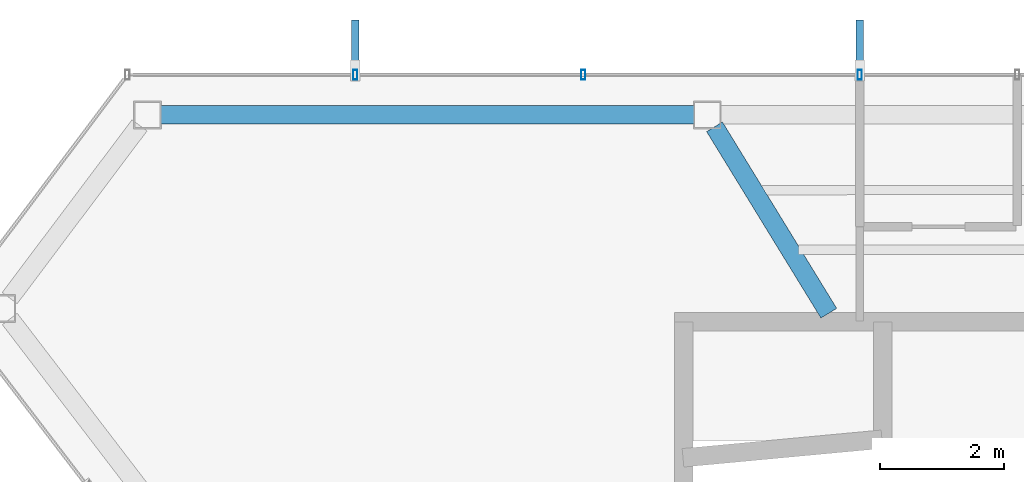
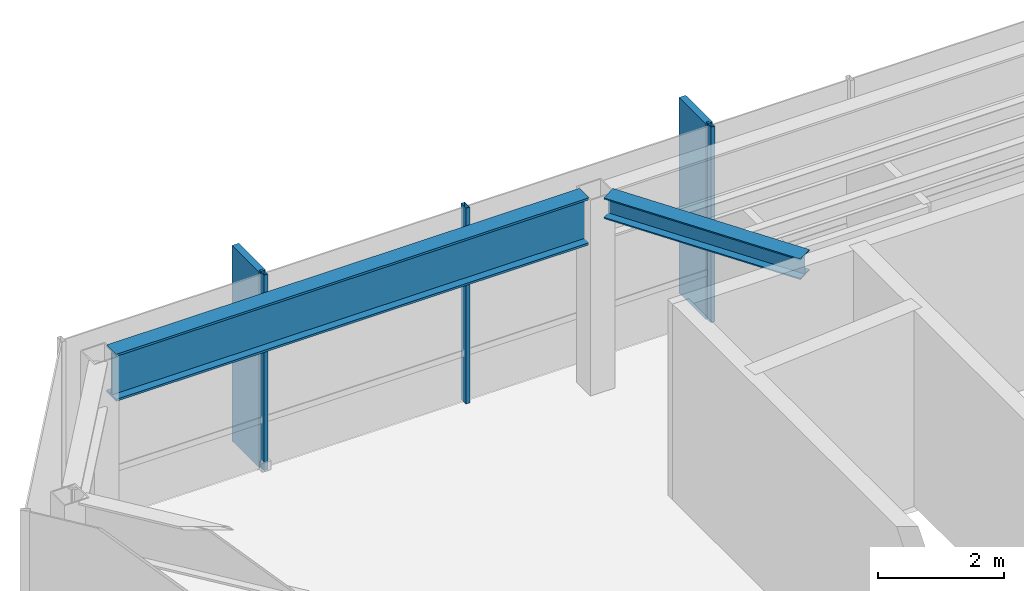
# One storey, part 9 of 21: 5 members, 2 beams, 1 element without a shape of its own.
"""IFC4 building model written with IfcOpenShell, lengths in metres."""

from ifc_helpers import new_model, si_unit, direction, frame, origin, origin_2d, place, context, subcontext, project, spatial, rectangle, hollow_rectangle, i_section, extrude, material, layer, layer_set, material_profile, profile_set, type_object, element, aggregate, save


model = new_model("IFC4")

# Units and contexts
model_context = context("Model", 3, precision=1e-05, world=origin(), true_north=direction((0.0, 1.0)))
body_context = subcontext(model_context, "Body", "Model", "MODEL_VIEW")
ifc_project = project(units=[si_unit("LENGTHUNIT", "METRE"), si_unit("AREAUNIT", "SQUARE_METRE"), si_unit("VOLUMEUNIT", "CUBIC_METRE"), si_unit("PLANEANGLEUNIT", "RADIAN"), si_unit("MASSUNIT", "GRAM", prefix="KILO")], contexts=[model_context])

# Site, building, storey
site_placement = place(None, origin())
site = spatial("IfcSite", under=ifc_project, at=site_placement, CompositionType="ELEMENT")
building_placement = place(site_placement, origin())
building = spatial("IfcBuilding", under=site, at=building_placement, Name="Zarrinselat Tower", CompositionType="ELEMENT")
storey_placement = place(building_placement, frame((0.0, 0.0, 299.199951171875)))
storey = spatial("IfcBuildingStorey", under=building, at=storey_placement, Name="L77", CompositionType="ELEMENT", Elevation=299.199951171875)

# Beams
ifc_material_1 = material(Name="Steel S355J2", Category="steel")
ifc_material_profile_1 = material_profile(ifc_material_1, i_section(OverallWidth=0.300048828125, OverallDepth=0.39990234375, WebThickness=0.013427734375, FlangeThickness=0.02392578125, at=origin_2d()), Name="HEB 400")
ifc_profile_set_1 = profile_set([ifc_material_profile_1], Name="Steel S355J2")
beam_type_1 = type_object("IfcBeamType", Name="BM-HEB400", PredefinedType="BEAM", material=ifc_profile_set_1)
beam_1_placement = place(storey_placement, frame((29.150634765625, 46.556396484375, 3.580078125), z_axis=(0.522691496234, -0.852521905739, 0.0), x_axis=(0.852521905739, 0.522691496234, 0.0)))
element("IfcBeam", 1, at=beam_1_placement, inside=storey, type_object=beam_type_1, Name="L77 Radial Primary Girder RG04", PredefinedType="BEAM", context=body_context, shape_type="SweptSolid", body=[
    extrude(i_section(OverallWidth=0.300048828125, OverallDepth=0.39990234375, WebThickness=0.013427734375, FlangeThickness=0.02392578125, at=origin_2d()), origin(), (0.0, 0.0, 1.0), 3.5380859375),
])
ifc_material_2 = material(Name="Steel S460M", Category="steel")
ifc_material_profile_2 = material_profile(ifc_material_2, i_section(OverallWidth=0.302001953125, OverallDepth=0.909912109375, WebThickness=0.02099609375, FlangeThickness=0.0400390625, at=origin_2d()), Name="HEM 900")
ifc_profile_set_2 = profile_set([ifc_material_profile_2], Name="Steel S460M")
beam_type_2 = type_object("IfcBeamType", Name="BM-HEM900", PredefinedType="BEAM", material=ifc_profile_set_2)
beam_2_placement = place(storey_placement, frame((20.185546875, 46.75, 3.324951171875), z_axis=(1.0, 0.0, 0.0), x_axis=(0.0, 1.0, 0.0)))
element("IfcBeam", 2, at=beam_2_placement, inside=storey, type_object=beam_type_2, Name="L77 Perimeter Spandrel Girder SP04", PredefinedType="BEAM", context=body_context, shape_type="SweptSolid", body=[
    extrude(i_section(OverallWidth=0.302001953125, OverallDepth=0.909912109375, WebThickness=0.02099609375, FlangeThickness=0.0400390625, at=origin_2d()), origin(), (0.0, 0.0, 1.0), 8.633544921875),
])

# Curtain wall, members
ifc_material_3 = material(Name="Extruded Aluminium Alloy EN AW-6063 T6", Category="aluminium")
ifc_layer = layer(ifc_material_3, 0.169921875)
ifc_layer_set = layer_set([ifc_layer], Name="Extruded Aluminium Alloy EN AW-6063 T6")
curtain_wall_type = type_object("IfcCurtainWallType", Name="CWS-RES", PredefinedType="NOTDEFINED", material=ifc_layer_set)
curtain_wall_placement = place(storey_placement, origin())
curtain_wall = element("IfcCurtainWall", 3, at=curtain_wall_placement, inside=storey, type_object=curtain_wall_type, Name="L77 Unitised Curtain Wall CW-L77-E01", PredefinedType="NOTDEFINED")
ifc_material_4 = material(Name="Extruded Aluminium Alloy EN AW-6063 T6", Category="aluminium")
ifc_material_profile_3 = material_profile(ifc_material_4, hollow_rectangle(XDim=0.070068359375, YDim=0.159912109375, WallThickness=0.00390625, at=origin_2d()), Name="RHS 160x70x4")
ifc_profile_set_3 = profile_set([ifc_material_profile_3], Name="Extruded Aluminium Alloy EN AW-6063 T6")
member_type_1 = type_object("IfcMemberType", Name="MEM-CW-MUL2", PredefinedType="MULLION", material=ifc_profile_set_3)
member_1_placement = place(storey_placement, frame((31.5, 47.39990234375, 0.0), z_axis=(0.0, 0.0, 1.0), x_axis=(-1.0, 0.0, 0.0)))
member_1 = element("IfcMember", 4, at=member_1_placement, type_object=member_type_1, Name="CW-L77-E01 Mullion 9", PredefinedType="MULLION", context=body_context, shape_type="SweptSolid", body=[
    extrude(hollow_rectangle(XDim=0.070068359375, YDim=0.159912109375, WallThickness=0.00390625, at=origin_2d()), origin(), (0.0, 0.0, 1.0), 3.780029296875),
])
member_2_placement = place(storey_placement, frame((27.024658203125, 47.39990234375, 0.0), z_axis=(0.0, 0.0, 1.0), x_axis=(-1.0, 0.0, 0.0)))
member_2 = element("IfcMember", 5, at=member_2_placement, type_object=member_type_1, Name="CW-L77-E01 Mullion 10", PredefinedType="MULLION", context=body_context, shape_type="SweptSolid", body=[
    extrude(hollow_rectangle(XDim=0.070068359375, YDim=0.159912109375, WallThickness=0.00390625, at=origin_2d()), origin(), (0.0, 0.0, 1.0), 3.780029296875),
])
member_3_placement = place(storey_placement, frame((23.336181640625, 47.39990234375, 0.0), z_axis=(0.0, 0.0, 1.0), x_axis=(-1.0, 0.0, 0.0)))
member_3 = element("IfcMember", 6, at=member_3_placement, type_object=member_type_1, Name="CW-L77-E01 Mullion 11", PredefinedType="MULLION", context=body_context, shape_type="SweptSolid", body=[
    extrude(hollow_rectangle(XDim=0.070068359375, YDim=0.159912109375, WallThickness=0.00390625, at=origin_2d()), origin(), (0.0, 0.0, 1.0), 3.780029296875),
])
ifc_material_5 = material(Name="Honed Cream Travertine Stone", Category="masonry")
ifc_material_profile_4 = material_profile(ifc_material_5, rectangle(XDim=0.1201171875, YDim=0.85009765625, at=origin_2d()), Name="FIN 850x120")
ifc_profile_set_4 = profile_set([ifc_material_profile_4], Name="Honed Cream Travertine Stone")
member_type_2 = type_object("IfcMemberType", Name="MEM-STONE-FIN", PredefinedType="USERDEFINED", material=ifc_profile_set_4)
member_4_placement = place(storey_placement, frame((31.5, 47.860107421875, 0.0), z_axis=(0.0, 0.0, 1.0), x_axis=(1.0, 0.0, 0.0)))
member_4 = element("IfcMember", 7, at=member_4_placement, type_object=member_type_2, Name="L77 Stone Shading Fin CW-L77-E01-09", ObjectType="FIN", PredefinedType="USERDEFINED", context=body_context, shape_type="SweptSolid", body=[
    extrude(rectangle(XDim=0.1201171875, YDim=0.85009765625, at=origin_2d()), origin(), (0.0, 0.0, 1.0), 3.780029296875),
])
member_5_placement = place(storey_placement, frame((23.336181640625, 47.860107421875, 0.0), z_axis=(0.0, 0.0, 1.0), x_axis=(1.0, 0.0, 0.0)))
member_5 = element("IfcMember", 8, at=member_5_placement, type_object=member_type_2, Name="L77 Stone Shading Fin CW-L77-E01-11", ObjectType="FIN", PredefinedType="USERDEFINED", context=body_context, shape_type="SweptSolid", body=[
    extrude(rectangle(XDim=0.1201171875, YDim=0.85009765625, at=origin_2d()), origin(), (0.0, 0.0, 1.0), 3.780029296875),
])
aggregate(curtain_wall, [member_1, member_4, member_2, member_3, member_5])

save(model, "model.ifc")
